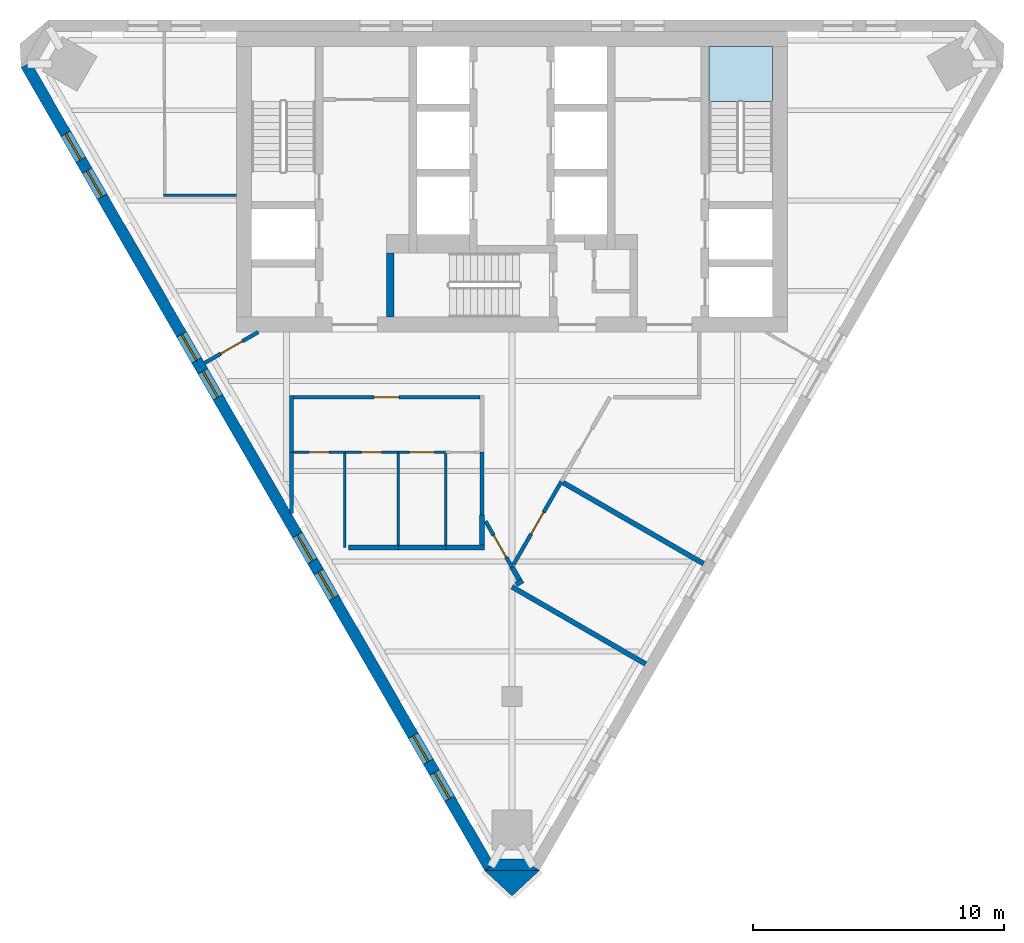
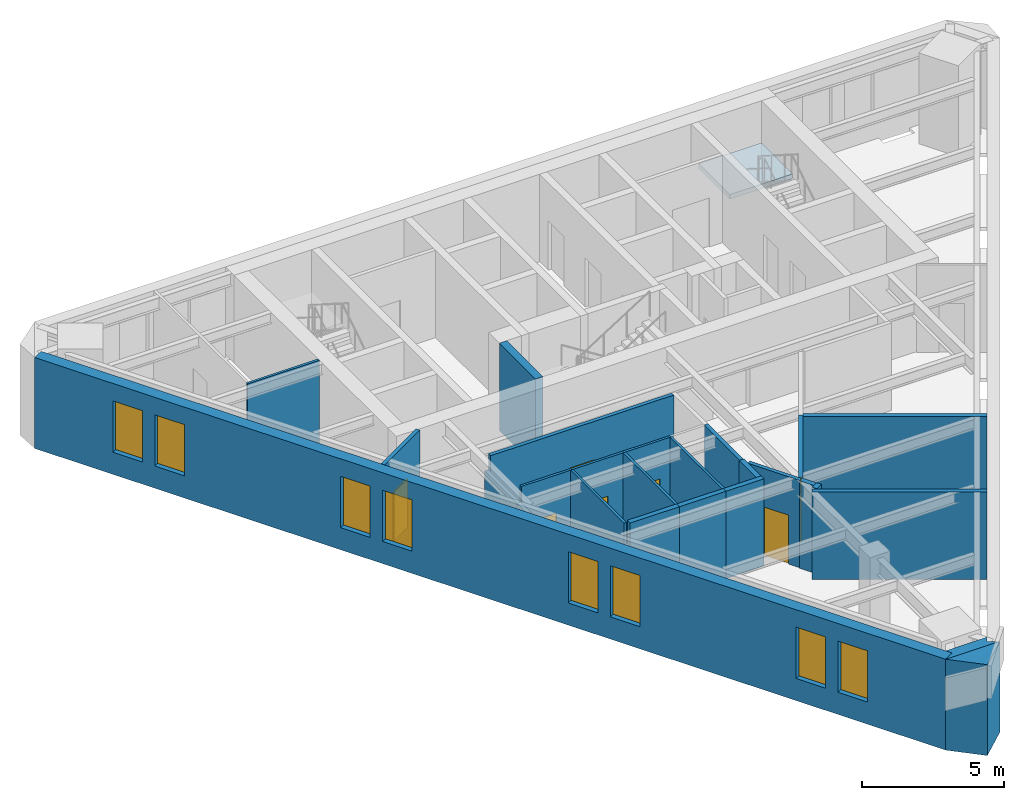
# One storey, part 2 of 6: 26 walls, 8 windows, 7 doors, 1 slab, 15 openings, 1 element without a shape of its own.
"""IFC4 building model written with IfcOpenShell, lengths in metres."""

import ifcopenshell
import ifcopenshell.guid

model = None  # the IFC model being written
_history = None  # IfcOwnerHistory: only IFC2X3 demands one
_inside = {}  # id of a spatial element -> (the spatial element, [elements in it])
_under = {}  # id of a project, library or spatial element -> (it, [spatial elements below it])
_declared = {}  # id of a project -> (the project, [libraries it declares])
_typed = {}  # id of a type object -> (the type object, [elements of that type])
_made_of = {}  # id of a material, layer set ... -> (it, [elements and type objects made of it])


def new_model(schema):
    """Start an empty IFC model of exactly this schema.

    Asked for "IFC4X3", IfcOpenShell would pick the latest addendum, in which some entities
    have other attributes; the version numbers below select the first issue.
    IFC2X3 requires an IfcOwnerHistory on every rooted entity: one is made here for all.
    """
    global model, _history
    if schema == "IFC4X3":
        model = ifcopenshell.file(schema_version=(4, 3, 0, 0))
    else:
        model = ifcopenshell.file(schema=schema)
    _inside.clear()
    _under.clear()
    _declared.clear()
    _typed.clear()
    _made_of.clear()
    _history = None
    if model.schema == "IFC2X3":
        org = make("IfcOrganization", Name="unknown")
        user = make(
            "IfcPersonAndOrganization",
            ThePerson=make("IfcPerson", FamilyName="unknown"),
            TheOrganization=org,
        )
        app = make(
            "IfcApplication",
            ApplicationDeveloper=org,
            Version="unknown",
            ApplicationFullName="unknown",
            ApplicationIdentifier="unknown",
        )
        _history = make(
            "IfcOwnerHistory",
            OwningUser=user,
            OwningApplication=app,
            ChangeAction="ADDED",
            CreationDate=0,
        )
    return model


def make(cls, **values):
    """One entity of the class cls with the attributes given. An attribute that is None is left unset."""
    return model.create_entity(
        cls, **{name: value for name, value in values.items() if value is not None}
    )


def rooted(cls, **values):
    """An entity with a GlobalId (a new one), such as an element, a storey or a relation."""
    return make(cls, GlobalId=ifcopenshell.guid.new(), OwnerHistory=_history, **values)


def si_unit(unit_type, name, prefix=None):
    """IfcSIUnit, for example si_unit("LENGTHUNIT", "METRE", prefix="MILLI")."""
    return make("IfcSIUnit", UnitType=unit_type, Prefix=prefix, Name=name)


def assignment(units):
    """IfcUnitAssignment: the units of a project."""
    return None if units is None else make("IfcUnitAssignment", Units=units)


def point(xyz):
    """IfcCartesianPoint."""
    return None if xyz is None else make("IfcCartesianPoint", Coordinates=xyz)


def direction(xyz):
    """IfcDirection."""
    return None if xyz is None else make("IfcDirection", DirectionRatios=xyz)


def frame(location, z_axis=None, x_axis=None):
    """IfcAxis2Placement3D, a coordinate frame: its origin and axes. An axis left out is left unset."""
    return make(
        "IfcAxis2Placement3D",
        Location=point(location),
        Axis=direction(z_axis),
        RefDirection=direction(x_axis),
    )


def frame_2d(location, x_axis=None):
    """IfcAxis2Placement2D, a coordinate frame in the plane: its origin and x axis."""
    return make(
        "IfcAxis2Placement2D", Location=point(location), RefDirection=direction(x_axis)
    )


def origin():
    """The frame at (0, 0, 0) with its axes left unset."""
    return frame((0.0, 0.0, 0.0))


def place(relative_to, where):
    """IfcLocalPlacement: puts the frame where relative to a parent placement (None: the world)."""
    return make(
        "IfcLocalPlacement", PlacementRelTo=relative_to, RelativePlacement=where
    )


def context(
    kind, dimensions, precision=None, world=None, true_north=None, identifier=None
):
    """IfcGeometricRepresentationContext, for example the 3D "Model" context."""
    return make(
        "IfcGeometricRepresentationContext",
        ContextIdentifier=identifier,
        ContextType=kind,
        CoordinateSpaceDimension=dimensions,
        Precision=precision,
        WorldCoordinateSystem=world,
        TrueNorth=true_north,
    )


def subcontext(parent, identifier, kind, view, scale=None):
    """IfcGeometricRepresentationSubContext, for example "Body" below "Model"."""
    return make(
        "IfcGeometricRepresentationSubContext",
        ContextIdentifier=identifier,
        ContextType=kind,
        ParentContext=parent,
        TargetScale=scale,
        TargetView=view,
    )


def project(units=None, contexts=None):
    """IfcProject with its units and contexts."""
    return rooted(
        "IfcProject",
        Name="project",
        RepresentationContexts=contexts,
        UnitsInContext=assignment(units),
    )


def spatial(cls, under=None, at=None, **own):
    """A site, building, storey or space (cls), placed at a placement, below another one or the project."""
    s = rooted(cls, ObjectPlacement=at, **own)
    if under is not None:
        _under.setdefault(under.id(), (under, []))[1].append(s)
    return s


def polyline(points):
    """IfcPolyline through the points."""
    return make("IfcPolyline", Points=[point(p) for p in points])


def profile(cls, at=None, kind="AREA", **sizes):
    """A parametric profile (cls). Its sizes go by their IFC names, for example OverallWidth=200.0."""
    return make(cls, ProfileType=kind, Position=at, **sizes)


def rectangle(**sizes):
    """IfcRectangleProfileDef."""
    return profile("IfcRectangleProfileDef", **sizes)


def outline(outer, holes=None, kind="AREA"):
    """IfcArbitraryClosedProfileDef: a profile drawn as a closed curve; with holes, ...WithVoids."""
    if holes is None:
        return make("IfcArbitraryClosedProfileDef", ProfileType=kind, OuterCurve=outer)
    return make(
        "IfcArbitraryProfileDefWithVoids",
        ProfileType=kind,
        OuterCurve=outer,
        InnerCurves=holes,
    )


def extrude(swept, where, along, depth):
    """IfcExtrudedAreaSolid: the profile swept, set in the frame where, extruded along a direction by depth."""
    return make(
        "IfcExtrudedAreaSolid",
        SweptArea=swept,
        Position=where,
        ExtrudedDirection=direction(along),
        Depth=depth,
    )


def shape(context_of_items, identifier, shape_type, items):
    """IfcShapeRepresentation: the items that make up one representation, for example the "Body"."""
    return make(
        "IfcShapeRepresentation",
        ContextOfItems=context_of_items,
        RepresentationIdentifier=identifier,
        RepresentationType=shape_type,
        Items=items,
    )


def material(Name=None, Category=None):
    """IfcMaterial."""
    return make("IfcMaterial", Name=Name, Category=Category)


def layer(
    of_material, thickness, ventilated=None, Name=None, Category=None, Priority=None
):
    """IfcMaterialLayer: one layer of a wall or slab, of a material (None: an air gap)."""
    return make(
        "IfcMaterialLayer",
        Material=of_material,
        LayerThickness=thickness,
        IsVentilated=ventilated,
        Name=Name,
        Category=Category,
        Priority=Priority,
    )


def layer_set(layers, Name=None):
    """IfcMaterialLayerSet."""
    return make("IfcMaterialLayerSet", MaterialLayers=layers, LayerSetName=Name)


def made_of(thing, what):
    """Note that an element or type object is made of a material, layer set ...; save() writes the relation."""
    if what is not None:
        _made_of.setdefault(what.id(), (what, []))[1].append(thing)
    return thing


def type_object(cls, material=None, **own):
    """A type object (cls), such as IfcWallType, which elements share."""
    return made_of(rooted(cls, **own), material)


def element(
    cls,
    number,
    at=None,
    inside=None,
    cuts=None,
    type_object=None,
    material=None,
    context=None,
    identifier="Body",
    shape_type=None,
    held_by="IfcProductDefinitionShape",
    body=None,
    shapes=None,
    **own,
):
    """One element of the class cls, such as IfcWall. Its Tag is "e" and its number.

    at: its placement. inside: the storey or other place that contains it. cuts: it is an
    opening in that element (IfcRelVoidsElement). A single representation is given by context,
    identifier, shape_type and body (its items); several are given by shapes. held_by: the class
    of the entity that holds the representations. save() writes the other relations.
    """
    e = rooted(cls, Tag="e%d" % number, ObjectPlacement=at, **own)
    if body is not None:
        shapes = [shape(context, identifier, shape_type, body)]
    if shapes is not None:
        e.Representation = make(held_by, Representations=shapes)
    if inside is not None:
        _inside.setdefault(inside.id(), (inside, []))[1].append(e)
    if cuts is not None:
        rooted(
            "IfcRelVoidsElement", RelatingBuildingElement=cuts, RelatedOpeningElement=e
        )
    if type_object is not None:
        _typed.setdefault(type_object.id(), (type_object, []))[1].append(e)
    return made_of(e, material)


def fill(opening, filler):
    """IfcRelFillsElement: the door or window that sits in an opening."""
    return rooted(
        "IfcRelFillsElement",
        RelatingOpeningElement=opening,
        RelatedBuildingElement=filler,
    )


def aggregate(whole, parts):
    """IfcRelAggregates: a whole, such as a stair, and the parts it consists of."""
    return rooted("IfcRelAggregates", RelatingObject=whole, RelatedObjects=parts)


def save(model, path):
    """Write the relations noted so far, then the file.

    IfcRelAggregates (storeys below a building ...), IfcRelContainedInSpatialStructure (elements
    in a storey), IfcRelDefinesByType, IfcRelAssociatesMaterial and IfcRelDeclares: one each for
    every whole, place, type object, material and project.
    """
    for whole, parts in _under.values():
        aggregate(whole, parts)
    for where, things in _inside.values():
        rooted(
            "IfcRelContainedInSpatialStructure",
            RelatedElements=things,
            RelatingStructure=where,
        )
    for kind, things in _typed.values():
        rooted("IfcRelDefinesByType", RelatedObjects=things, RelatingType=kind)
    for what, things in _made_of.values():
        rooted("IfcRelAssociatesMaterial", RelatedObjects=things, RelatingMaterial=what)
    for by, libraries in _declared.values():
        rooted("IfcRelDeclares", RelatingContext=by, RelatedDefinitions=libraries)
    model.write(path)


model = new_model("IFC4")

# Units and contexts
model_context = context("Model", 3, precision=1e-05, world=origin(), true_north=direction((0.0, 1.0)))
body_context = subcontext(model_context, "Body", "Model", "MODEL_VIEW")
ifc_project = project(units=[si_unit("LENGTHUNIT", "METRE"), si_unit("AREAUNIT", "SQUARE_METRE"), si_unit("VOLUMEUNIT", "CUBIC_METRE"), si_unit("PLANEANGLEUNIT", "RADIAN"), si_unit("MASSUNIT", "GRAM", prefix="KILO")], contexts=[model_context])

# Site, building, storey
site_placement = place(None, origin())
site = spatial("IfcSite", under=ifc_project, at=site_placement, CompositionType="ELEMENT")
building_placement = place(site_placement, origin())
building = spatial("IfcBuilding", under=site, at=building_placement, Name="Aloe Facet Convention Tower", CompositionType="ELEMENT")
storey_placement = place(building_placement, frame((0.0, 0.0, 266.0)))
storey = spatial("IfcBuildingStorey", under=building, at=storey_placement, Name="L65", CompositionType="ELEMENT", Elevation=266.0)

# Stair, slab
ifc_material_1 = material(Name="Concrete C50/60", Category="concrete")
stair_type = type_object("IfcStairType", Name="CR-ST-22R", PredefinedType="HALF_TURN_STAIR", material=ifc_material_1)
stair_placement = place(storey_placement, origin())
stair = element("IfcStair", 1, at=stair_placement, inside=storey, type_object=stair_type, Name="L65 Protected exit stair ST2", PredefinedType="HALF_TURN_STAIR")
ifc_material_2 = material(Name="Concrete C50/60", Category="concrete")
ifc_layer_1 = layer(ifc_material_2, 0.199951171875)
ifc_layer_set_1 = layer_set([ifc_layer_1], Name="CR-SL-LANDING")
slab_type = type_object("IfcSlabType", Name="CR-SL-LANDING", PredefinedType="LANDING", material=ifc_layer_set_1)
slab_placement = place(storey_placement, frame((0.0, 0.0, 1.75)))
slab = element("IfcSlab", 2, at=slab_placement, type_object=slab_type, Name="ST2 landing 1", PredefinedType="LANDING", context=body_context, shape_type="SweptSolid", body=[
    extrude(outline(polyline([(90.39990234375, 131.75), (90.39990234375, 133.949951171875), (87.85009765625, 133.949951171875), (87.85009765625, 131.75), (90.39990234375, 131.75)])), origin(), (0.0, 0.0, 1.0), 0.199951171875),
])
aggregate(stair, [slab])

# Walls
ifc_material_3 = material(Name="Concrete C50/60", Category="concrete")
ifc_layer_2 = layer(ifc_material_3, 0.300048828125)
ifc_layer_set_2 = layer_set([ifc_layer_2], Name="CR-W-RC300-C5060")
wall_type_1 = type_object("IfcWallType", Name="CR-W-RC300-C5060", PredefinedType="SOLIDWALL", material=ifc_layer_set_2)
wall_1_placement = place(storey_placement, frame((75.14990234375, 125.699951171875, 0.0), z_axis=(0.0, 0.0, 1.0), x_axis=(0.0, -1.0, 0.0)))
element("IfcWall", 3, at=wall_1_placement, inside=storey, type_object=wall_type_1, Name="Core wall L65-009", PredefinedType="SOLIDWALL", context=body_context, shape_type="SweptSolid", body=[
    extrude(rectangle(XDim=2.550048828125, YDim=0.300048828125, at=frame_2d((1.27490234375, 0.0))), origin(), (0.0, 0.0, 1.0), 3.75),
])
ifc_material_4 = material(Name="Precast concrete C40/50", Category="concrete")
ifc_layer_3 = layer(ifc_material_4, 0.449951171875)
ifc_layer_set_3 = layer_set([ifc_layer_3], Name="EV-WALL-PIER")
wall_type_2 = type_object("IfcWallType", Name="EV-WALL-PIER", PredefinedType="SOLIDWALL", material=ifc_layer_set_3)
wall_2_placement = place(storey_placement, frame((0.0, 0.0, -0.14990234375)))
element("IfcWall", 4, at=wall_2_placement, inside=storey, type_object=wall_type_2, Name="EP-L65-B", PredefinedType="SOLIDWALL", context=body_context, shape_type="SweptSolid", body=[
    extrude(outline(polyline([(78.89990234375, 101.07568359375), (79.289794921875, 101.30078125), (79.159912109375, 101.52587890625), (80.840087890625, 101.52587890625), (80.710205078125, 101.30078125), (81.10009765625, 101.07568359375), (78.89990234375, 101.07568359375)])), origin(), (0.0, 0.0, 1.0), 3.89990234375),
])
ifc_material_5 = material(Name="Precast concrete C40/50", Category="concrete")
ifc_layer_4 = layer(ifc_material_5, 3.947998046875)
ifc_layer_set_4 = layer_set([ifc_layer_4], Name="EV-WALL-SPINE")
wall_type_3 = type_object("IfcWallType", Name="EV-WALL-SPINE", PredefinedType="SOLIDWALL", material=ifc_layer_set_4)
wall_3_placement = place(storey_placement, frame((0.0, 0.0, -0.14990234375)))
element("IfcWall", 5, at=wall_3_placement, inside=storey, type_object=wall_type_3, Name="SP-S-L65", PredefinedType="SOLIDWALL", context=body_context, shape_type="SweptSolid", body=[
    extrude(outline(polyline([(78.89990234375, 101.07568359375), (80.0, 100.0537109375), (81.10009765625, 101.07568359375), (78.89990234375, 101.07568359375)])), origin(), (0.0, 0.0, 1.0), 3.89990234375),
])

# Wall, openings, windows
ifc_material_6 = material(Name="Precast concrete C40/50", Category="concrete")
ifc_layer_5 = layer(ifc_material_6, 0.449951171875)
ifc_layer_set_5 = layer_set([ifc_layer_5], Name="EV-WALL-STONE")
wall_type_4 = type_object("IfcWallType", Name="EV-WALL-STONE", PredefinedType="SOLIDWALL", material=ifc_layer_set_5)
wall_4_placement = place(storey_placement, frame((60.608642578125, 133.207275390625, -0.14990234375), z_axis=(0.0, 0.0, 1.0), x_axis=(0.500002536638, -0.866023939251, 0.0)))
wall_4 = element("IfcWall", 6, at=wall_4_placement, inside=storey, type_object=wall_type_4, Name="EW-L65-W01", PredefinedType="SOLIDWALL", context=body_context, shape_type="SweptSolid", body=[
    extrude(outline(polyline([(36.972412109375, 0.0), (36.972412109375, 3.89990234375), (0.0, 3.89990234375), (0.0, 0.0), (36.972412109375, 0.0)])), frame((0.0, 0.22509765625, 0.0), z_axis=(0.0, -1.0, 0.0), x_axis=(1.0, 0.0, 0.0)), (0.0, 0.0, 1.0), 0.449951171875),
])
opening_1_placement = place(wall_4_placement, frame((3.171630859375, 0.0, 0.949951171875)))
opening_1 = element("IfcOpeningElement", 7, at=opening_1_placement, cuts=wall_4, Name="Opening W-L65-W01", PredefinedType="OPENING", context=body_context, shape_type="SweptSolid", body=[
    extrude(rectangle(XDim=1.199951171875, YDim=2.199951171875, at=frame_2d((0.60009765625, 1.10009765625))), frame((0.0, 0.23486328125, 0.0), z_axis=(0.0, -1.0, 0.0), x_axis=(1.0, 0.0, 0.0)), (0.0, 0.0, 1.0), 0.469970703125),
])
opening_2_placement = place(wall_4_placement, frame((4.87158203125, 0.0, 0.949951171875)))
opening_2 = element("IfcOpeningElement", 8, at=opening_2_placement, cuts=wall_4, Name="Opening W-L65-W02", PredefinedType="OPENING", context=body_context, shape_type="SweptSolid", body=[
    extrude(rectangle(XDim=1.199951171875, YDim=2.199951171875, at=frame_2d((0.60009765625, 1.10009765625))), frame((0.0, 0.23486328125, 0.0), z_axis=(0.0, -1.0, 0.0), x_axis=(1.0, 0.0, 0.0)), (0.0, 0.0, 1.0), 0.469970703125),
])
opening_3_placement = place(wall_4_placement, frame((12.41455078125, 0.0, 0.949951171875)))
opening_3 = element("IfcOpeningElement", 9, at=opening_3_placement, cuts=wall_4, Name="Opening W-L65-W03", PredefinedType="OPENING", context=body_context, shape_type="SweptSolid", body=[
    extrude(rectangle(XDim=1.199951171875, YDim=2.199951171875, at=frame_2d((0.60009765625, 1.10009765625))), frame((0.0, 0.23486328125, 0.0), z_axis=(0.0, -1.0, 0.0), x_axis=(1.0, 0.0, 0.0)), (0.0, 0.0, 1.0), 0.469970703125),
])
opening_4_placement = place(wall_4_placement, frame((14.114501953125, 0.0, 0.949951171875)))
opening_4 = element("IfcOpeningElement", 10, at=opening_4_placement, cuts=wall_4, Name="Opening W-L65-W04", PredefinedType="OPENING", context=body_context, shape_type="SweptSolid", body=[
    extrude(rectangle(XDim=1.199951171875, YDim=2.199951171875, at=frame_2d((0.60009765625, 1.10009765625))), frame((0.0, 0.23486328125, 0.0), z_axis=(0.0, -1.0, 0.0), x_axis=(1.0, 0.0, 0.0)), (0.0, 0.0, 1.0), 0.469970703125),
])
opening_5_placement = place(wall_4_placement, frame((21.65771484375, 0.0, 0.949951171875)))
opening_5 = element("IfcOpeningElement", 11, at=opening_5_placement, cuts=wall_4, Name="Opening W-L65-W05", PredefinedType="OPENING", context=body_context, shape_type="SweptSolid", body=[
    extrude(rectangle(XDim=1.199951171875, YDim=2.199951171875, at=frame_2d((0.60009765625, 1.10009765625))), frame((0.0, 0.23486328125, 0.0), z_axis=(0.0, -1.0, 0.0), x_axis=(1.0, 0.0, 0.0)), (0.0, 0.0, 1.0), 0.469970703125),
])
opening_6_placement = place(wall_4_placement, frame((23.357666015625, 0.0, 0.949951171875)))
opening_6 = element("IfcOpeningElement", 12, at=opening_6_placement, cuts=wall_4, Name="Opening W-L65-W06", PredefinedType="OPENING", context=body_context, shape_type="SweptSolid", body=[
    extrude(rectangle(XDim=1.199951171875, YDim=2.199951171875, at=frame_2d((0.60009765625, 1.10009765625))), frame((0.0, 0.23486328125, 0.0), z_axis=(0.0, -1.0, 0.0), x_axis=(1.0, 0.0, 0.0)), (0.0, 0.0, 1.0), 0.469970703125),
])
opening_7_placement = place(wall_4_placement, frame((30.90087890625, 0.0, 0.949951171875)))
opening_7 = element("IfcOpeningElement", 13, at=opening_7_placement, cuts=wall_4, Name="Opening W-L65-W07", PredefinedType="OPENING", context=body_context, shape_type="SweptSolid", body=[
    extrude(rectangle(XDim=1.199951171875, YDim=2.199951171875, at=frame_2d((0.60009765625, 1.10009765625))), frame((0.0, 0.23486328125, 0.0), z_axis=(0.0, -1.0, 0.0), x_axis=(1.0, 0.0, 0.0)), (0.0, 0.0, 1.0), 0.469970703125),
])
opening_8_placement = place(wall_4_placement, frame((32.600830078125, 0.0, 0.949951171875)))
opening_8 = element("IfcOpeningElement", 14, at=opening_8_placement, cuts=wall_4, Name="Opening W-L65-W08", PredefinedType="OPENING", context=body_context, shape_type="SweptSolid", body=[
    extrude(rectangle(XDim=1.199951171875, YDim=2.199951171875, at=frame_2d((0.60009765625, 1.10009765625))), frame((0.0, 0.23486328125, 0.0), z_axis=(0.0, -1.0, 0.0), x_axis=(1.0, 0.0, 0.0)), (0.0, 0.0, 1.0), 0.469970703125),
])
ifc_material_7 = material(Name="Aluminium frame, clear double glazing", Category="aluminium")
window_type = type_object("IfcWindowType", Name="EV-WIN-O12", PartitioningType="SINGLE_PANEL", PredefinedType="WINDOW", material=ifc_material_7)
window_1_placement = place(opening_1_placement, origin())
window_1 = element("IfcWindow", 15, at=window_1_placement, inside=storey, type_object=window_type, Name="W-L65-W01", OverallHeight=2.199951171875, OverallWidth=1.199951171875, PartitioningType="SINGLE_PANEL", PredefinedType="WINDOW", context=body_context, shape_type="SweptSolid", body=[
    extrude(rectangle(XDim=1.199951171875, YDim=2.199951171875, at=frame_2d((0.60009765625, 1.10009765625))), frame((0.0, 0.030029296875, 0.0), z_axis=(0.0, -1.0, 0.0), x_axis=(1.0, 0.0, 0.0)), (0.0, 0.0, 1.0), 0.06005859375),
])
fill(opening_1, window_1)
window_2_placement = place(opening_2_placement, origin())
window_2 = element("IfcWindow", 16, at=window_2_placement, inside=storey, type_object=window_type, Name="W-L65-W02", OverallHeight=2.199951171875, OverallWidth=1.199951171875, PartitioningType="SINGLE_PANEL", PredefinedType="WINDOW", context=body_context, shape_type="SweptSolid", body=[
    extrude(rectangle(XDim=1.199951171875, YDim=2.199951171875, at=frame_2d((0.60009765625, 1.10009765625))), frame((0.0, 0.030029296875, 0.0), z_axis=(0.0, -1.0, 0.0), x_axis=(1.0, 0.0, 0.0)), (0.0, 0.0, 1.0), 0.06005859375),
])
fill(opening_2, window_2)
window_3_placement = place(opening_3_placement, origin())
window_3 = element("IfcWindow", 17, at=window_3_placement, inside=storey, type_object=window_type, Name="W-L65-W03", OverallHeight=2.199951171875, OverallWidth=1.199951171875, PartitioningType="SINGLE_PANEL", PredefinedType="WINDOW", context=body_context, shape_type="SweptSolid", body=[
    extrude(rectangle(XDim=1.199951171875, YDim=2.199951171875, at=frame_2d((0.60009765625, 1.10009765625))), frame((0.0, 0.030029296875, 0.0), z_axis=(0.0, -1.0, 0.0), x_axis=(1.0, 0.0, 0.0)), (0.0, 0.0, 1.0), 0.06005859375),
])
fill(opening_3, window_3)
window_4_placement = place(opening_4_placement, origin())
window_4 = element("IfcWindow", 18, at=window_4_placement, inside=storey, type_object=window_type, Name="W-L65-W04", OverallHeight=2.199951171875, OverallWidth=1.199951171875, PartitioningType="SINGLE_PANEL", PredefinedType="WINDOW", context=body_context, shape_type="SweptSolid", body=[
    extrude(rectangle(XDim=1.199951171875, YDim=2.199951171875, at=frame_2d((0.60009765625, 1.10009765625))), frame((0.0, 0.030029296875, 0.0), z_axis=(0.0, -1.0, 0.0), x_axis=(1.0, 0.0, 0.0)), (0.0, 0.0, 1.0), 0.06005859375),
])
fill(opening_4, window_4)
window_5_placement = place(opening_5_placement, origin())
window_5 = element("IfcWindow", 19, at=window_5_placement, inside=storey, type_object=window_type, Name="W-L65-W05", OverallHeight=2.199951171875, OverallWidth=1.199951171875, PartitioningType="SINGLE_PANEL", PredefinedType="WINDOW", context=body_context, shape_type="SweptSolid", body=[
    extrude(rectangle(XDim=1.199951171875, YDim=2.199951171875, at=frame_2d((0.60009765625, 1.10009765625))), frame((0.0, 0.030029296875, 0.0), z_axis=(0.0, -1.0, 0.0), x_axis=(1.0, 0.0, 0.0)), (0.0, 0.0, 1.0), 0.06005859375),
])
fill(opening_5, window_5)
window_6_placement = place(opening_6_placement, origin())
window_6 = element("IfcWindow", 20, at=window_6_placement, inside=storey, type_object=window_type, Name="W-L65-W06", OverallHeight=2.199951171875, OverallWidth=1.199951171875, PartitioningType="SINGLE_PANEL", PredefinedType="WINDOW", context=body_context, shape_type="SweptSolid", body=[
    extrude(rectangle(XDim=1.199951171875, YDim=2.199951171875, at=frame_2d((0.60009765625, 1.10009765625))), frame((0.0, 0.030029296875, 0.0), z_axis=(0.0, -1.0, 0.0), x_axis=(1.0, 0.0, 0.0)), (0.0, 0.0, 1.0), 0.06005859375),
])
fill(opening_6, window_6)
window_7_placement = place(opening_7_placement, origin())
window_7 = element("IfcWindow", 21, at=window_7_placement, inside=storey, type_object=window_type, Name="W-L65-W07", OverallHeight=2.199951171875, OverallWidth=1.199951171875, PartitioningType="SINGLE_PANEL", PredefinedType="WINDOW", context=body_context, shape_type="SweptSolid", body=[
    extrude(rectangle(XDim=1.199951171875, YDim=2.199951171875, at=frame_2d((0.60009765625, 1.10009765625))), frame((0.0, 0.030029296875, 0.0), z_axis=(0.0, -1.0, 0.0), x_axis=(1.0, 0.0, 0.0)), (0.0, 0.0, 1.0), 0.06005859375),
])
fill(opening_7, window_7)
window_8_placement = place(opening_8_placement, origin())
window_8 = element("IfcWindow", 22, at=window_8_placement, inside=storey, type_object=window_type, Name="W-L65-W08", OverallHeight=2.199951171875, OverallWidth=1.199951171875, PartitioningType="SINGLE_PANEL", PredefinedType="WINDOW", context=body_context, shape_type="SweptSolid", body=[
    extrude(rectangle(XDim=1.199951171875, YDim=2.199951171875, at=frame_2d((0.60009765625, 1.10009765625))), frame((0.0, 0.030029296875, 0.0), z_axis=(0.0, -1.0, 0.0), x_axis=(1.0, 0.0, 0.0)), (0.0, 0.0, 1.0), 0.06005859375),
])
fill(opening_8, window_8)

# Wall, opening, door
ifc_material_8 = material(Name="Gypsum board partition on steel studs", Category="steel")
ifc_layer_6 = layer(ifc_material_8, 0.14990234375)
ifc_layer_set_6 = layer_set([ifc_layer_6], Name="IN-W-CORR")
wall_type_5 = type_object("IfcWallType", Name="IN-W-CORR", PredefinedType="PARTITIONING", material=ifc_layer_set_6)
wall_5_placement = place(storey_placement, frame((78.945068359375, 114.997802734375, 0.0), z_axis=(0.0, 0.0, 1.0), x_axis=(0.499959494327, -0.866048788483, 0.0)))
wall_5 = element("IfcWall", 23, at=wall_5_placement, inside=storey, type_object=wall_type_5, Name="Partition L65-W004", PredefinedType="PARTITIONING", context=body_context, shape_type="SweptSolid", body=[
    extrude(rectangle(XDim=2.110107421875, YDim=0.14990234375, at=frame_2d((1.05517578125, 0.0))), origin(), (0.0, 0.0, 1.0), 3.75),
])
opening_9_placement = place(wall_5_placement, frame((0.656982421875, 0.0, 0.0)))
opening_9 = element("IfcOpeningElement", 24, at=opening_9_placement, cuts=wall_5, Name="Opening L65-009", PredefinedType="OPENING", context=body_context, shape_type="SweptSolid", body=[
    extrude(rectangle(XDim=1.0, YDim=2.10009765625, at=frame_2d((0.5, 1.050048828125))), frame((0.0, 0.0849609375, 0.0), z_axis=(0.0, -1.0, 0.0), x_axis=(1.0, 0.0, 0.0)), (0.0, 0.0, 1.0), 0.169921875),
])
ifc_material_9 = material(Name="Timber door FD30S with vision panel", Category="wood")
door_type_1 = type_object("IfcDoorType", Name="IN-OFF-D-ENTRY", OperationType="SINGLE_SWING_LEFT", PredefinedType="DOOR", material=ifc_material_9)
door_1_placement = place(opening_9_placement, origin())
door_1 = element("IfcDoor", 25, at=door_1_placement, inside=storey, type_object=door_type_1, Name="Door L65-009", OperationType="SINGLE_SWING_LEFT", OverallHeight=2.10009765625, OverallWidth=1.0, PredefinedType="DOOR", context=body_context, shape_type="SweptSolid", body=[
    extrude(rectangle(XDim=1.0, YDim=2.10009765625, at=frame_2d((0.5, 1.050048828125))), frame((0.0, 0.02490234375, 0.0), z_axis=(0.0, -1.0, 0.0), x_axis=(1.0, 0.0, 0.0)), (0.0, 0.0, 1.0), 0.050048828125),
])
fill(opening_9, door_1)

# Wall
wall_6_placement = place(storey_placement, frame((78.800048828125, 115.2490234375, 0.0), z_axis=(0.0, 0.0, 1.0), x_axis=(0.0, 1.0, 0.0)))
element("IfcWall", 26, at=wall_6_placement, inside=storey, type_object=wall_type_5, Name="Partition L65-W010", PredefinedType="PARTITIONING", context=body_context, shape_type="SweptSolid", body=[
    extrude(rectangle(XDim=2.510986328125, YDim=0.14990234375, at=frame_2d((1.25537109375, 0.0))), origin(), (0.0, 0.0, 1.0), 3.75),
])

# Wall, opening, door
wall_7_placement = place(storey_placement, frame((80.06005859375, 113.2744140625, 0.0), z_axis=(0.0, 0.0, 1.0), x_axis=(0.499987977232, 0.866032345022, 0.0)))
wall_7 = element("IfcWall", 27, at=wall_7_placement, inside=storey, type_object=wall_type_5, Name="Partition L65-W011", PredefinedType="PARTITIONING", context=body_context, shape_type="SweptSolid", body=[
    extrude(rectangle(XDim=3.8203125, YDim=0.14990234375, at=frame_2d((1.91015625, 0.0))), origin(), (0.0, 0.0, 1.0), 3.75),
])
opening_10_placement = place(wall_7_placement, frame((1.41015625, 0.0, 0.0)))
opening_10 = element("IfcOpeningElement", 28, at=opening_10_placement, cuts=wall_7, Name="Opening L65-010", PredefinedType="OPENING", context=body_context, shape_type="SweptSolid", body=[
    extrude(rectangle(XDim=1.0, YDim=2.10009765625, at=frame_2d((0.5, 1.050048828125))), frame((0.0, 0.0849609375, 0.0), z_axis=(0.0, -1.0, 0.0), x_axis=(1.0, 0.0, 0.0)), (0.0, 0.0, 1.0), 0.169921875),
])
door_2_placement = place(opening_10_placement, origin())
door_2 = element("IfcDoor", 29, at=door_2_placement, inside=storey, type_object=door_type_1, Name="Door L65-010", OperationType="SINGLE_SWING_LEFT", OverallHeight=2.10009765625, OverallWidth=1.0, PredefinedType="DOOR", context=body_context, shape_type="SweptSolid", body=[
    extrude(rectangle(XDim=1.0, YDim=2.10009765625, at=frame_2d((0.5, 1.050048828125))), frame((0.0, 0.02490234375, 0.0), z_axis=(0.0, -1.0, 0.0), x_axis=(1.0, 0.0, 0.0)), (0.0, 0.0, 1.0), 0.050048828125),
])
fill(opening_10, door_2)

# Walls
wall_8_placement = place(storey_placement, frame((71.199951171875, 115.312744140625, 0.0), z_axis=(0.0, 0.0, 1.0), x_axis=(0.0, 1.0, 0.0)))
element("IfcWall", 30, at=wall_8_placement, inside=storey, type_object=wall_type_5, Name="Partition L65-W020", PredefinedType="PARTITIONING", context=body_context, shape_type="SweptSolid", body=[
    extrude(rectangle(XDim=2.437255859375, YDim=0.14990234375, at=frame_2d((1.21875, 0.0))), origin(), (0.0, 0.0, 1.0), 3.06201171875),
])
wall_9_placement = place(storey_placement, frame((71.199951171875, 117.75, 0.0), z_axis=(0.0, 0.0, 1.0), x_axis=(0.0, 1.0, 0.0)))
element("IfcWall", 31, at=wall_9_placement, inside=storey, type_object=wall_type_5, Name="Partition L65-W021", PredefinedType="PARTITIONING", context=body_context, shape_type="SweptSolid", body=[
    extrude(rectangle(XDim=2.27294921875, YDim=0.14990234375, at=frame_2d((1.136474609375, 0.0))), origin(), (0.0, 0.0, 1.0), 3.06201171875),
])

# Wall, opening, door
wall_10_placement = place(storey_placement, frame((71.27490234375, 119.947998046875, 0.0), z_axis=(0.0, 0.0, 1.0), x_axis=(1.0, 0.0, 0.0)))
wall_10 = element("IfcWall", 32, at=wall_10_placement, inside=storey, type_object=wall_type_5, Name="Partition L65-W023", PredefinedType="PARTITIONING", context=body_context, shape_type="SweptSolid", body=[
    extrude(rectangle(XDim=7.4501953125, YDim=0.14990234375, at=frame_2d((3.72509765625, 0.0))), origin(), (0.0, 0.0, 1.0), 3.75),
])
opening_11_placement = place(wall_10_placement, frame((3.22509765625, 0.0, 0.0)))
opening_11 = element("IfcOpeningElement", 33, at=opening_11_placement, cuts=wall_10, Name="Opening L65-001", PredefinedType="OPENING", context=body_context, shape_type="SweptSolid", body=[
    extrude(rectangle(XDim=1.0, YDim=2.10009765625, at=frame_2d((0.5, 1.050048828125))), frame((0.0, 0.0849609375, 0.0), z_axis=(0.0, -1.0, 0.0), x_axis=(1.0, 0.0, 0.0)), (0.0, 0.0, 1.0), 0.169921875),
])
door_3_placement = place(opening_11_placement, origin())
door_3 = element("IfcDoor", 34, at=door_3_placement, inside=storey, type_object=door_type_1, Name="Door L65-001", OperationType="SINGLE_SWING_LEFT", OverallHeight=2.10009765625, OverallWidth=1.0, PredefinedType="DOOR", context=body_context, shape_type="SweptSolid", body=[
    extrude(rectangle(XDim=1.0, YDim=2.10009765625, at=frame_2d((0.5, 1.050048828125))), frame((0.0, 0.02490234375, 0.0), z_axis=(0.0, -1.0, 0.0), x_axis=(1.0, 0.0, 0.0)), (0.0, 0.0, 1.0), 0.050048828125),
])
fill(opening_11, door_3)

wall_11_placement = place(storey_placement, frame((67.74462890625, 121.317626953125, 0.0), z_axis=(0.0, 0.0, 1.0), x_axis=(0.865990916707, 0.500059728613, 0.0)))
wall_11 = element("IfcWall", 35, at=wall_11_placement, inside=storey, type_object=wall_type_5, Name="Partition L65-W025", PredefinedType="PARTITIONING", context=body_context, shape_type="SweptSolid", body=[
    extrude(rectangle(XDim=2.464599609375, YDim=0.14990234375, at=frame_2d((1.232421875, 0.0))), origin(), (0.0, 0.0, 1.0), 3.75),
])
opening_12_placement = place(wall_11_placement, frame((0.732177734375, 0.0, 0.0)))
opening_12 = element("IfcOpeningElement", 36, at=opening_12_placement, cuts=wall_11, Name="Opening L65-008", PredefinedType="OPENING", context=body_context, shape_type="SweptSolid", body=[
    extrude(rectangle(XDim=1.0, YDim=2.10009765625, at=frame_2d((0.5, 1.050048828125))), frame((0.0, 0.0849609375, 0.0), z_axis=(0.0, -1.0, 0.0), x_axis=(1.0, 0.0, 0.0)), (0.0, 0.0, 1.0), 0.169921875),
])
door_4_placement = place(opening_12_placement, origin())
door_4 = element("IfcDoor", 37, at=door_4_placement, inside=storey, type_object=door_type_1, Name="Door L65-008", OperationType="SINGLE_SWING_LEFT", OverallHeight=2.10009765625, OverallWidth=1.0, PredefinedType="DOOR", context=body_context, shape_type="SweptSolid", body=[
    extrude(rectangle(XDim=1.0, YDim=2.10009765625, at=frame_2d((0.5, 1.050048828125))), frame((0.0, 0.02490234375, 0.0), z_axis=(0.0, -1.0, 0.0), x_axis=(1.0, 0.0, 0.0)), (0.0, 0.0, 1.0), 0.050048828125),
])
fill(opening_12, door_4)

# Wall
ifc_material_10 = material(Name="Gypsum board partition on steel studs", Category="steel")
ifc_layer_7 = layer(ifc_material_10, 0.10009765625)
ifc_layer_set_7 = layer_set([ifc_layer_7], Name="IN-W-PART")
wall_type_6 = type_object("IfcWallType", Name="IN-W-PART", PredefinedType="PARTITIONING", material=ifc_layer_set_7)
wall_12_placement = place(storey_placement, frame((73.327880859375, 113.949951171875, 0.0), z_axis=(0.0, 0.0, 1.0), x_axis=(0.0, 1.0, 0.0)))
element("IfcWall", 38, at=wall_12_placement, inside=storey, type_object=wall_type_6, Name="Partition L65-W013", PredefinedType="PARTITIONING", context=body_context, shape_type="SweptSolid", body=[
    extrude(rectangle(XDim=3.75, YDim=0.10009765625, at=frame_2d((1.875, 0.0))), origin(), (0.0, 0.0, 1.0), 3.75),
])

# Wall, opening, door
wall_13_placement = place(storey_placement, frame((71.27490234375, 117.75, 0.0), z_axis=(0.0, 0.0, 1.0), x_axis=(1.0, 0.0, 0.0)))
wall_13 = element("IfcWall", 39, at=wall_13_placement, inside=storey, type_object=wall_type_6, Name="Partition L65-W014", PredefinedType="PARTITIONING", context=body_context, shape_type="SweptSolid", body=[
    extrude(rectangle(XDim=2.052978515625, YDim=0.10009765625, at=frame_2d((1.0263671875, 0.0))), origin(), (0.0, 0.0, 1.0), 3.75),
])
opening_13_placement = place(wall_13_placement, frame((0.62646484375, 0.0, 0.0)))
opening_13 = element("IfcOpeningElement", 40, at=opening_13_placement, cuts=wall_13, Name="Opening L65-002", PredefinedType="OPENING", context=body_context, shape_type="SweptSolid", body=[
    extrude(rectangle(XDim=0.800048828125, YDim=2.10009765625, at=frame_2d((0.39990234375, 1.050048828125))), frame((0.0, 0.06005859375, 0.0), z_axis=(0.0, -1.0, 0.0), x_axis=(1.0, 0.0, 0.0)), (0.0, 0.0, 1.0), 0.1201171875),
])
ifc_material_11 = material(Name="Timber door", Category="wood")
door_type_2 = type_object("IfcDoorType", Name="IN-OFF-D-WC", OperationType="SINGLE_SWING_LEFT", PredefinedType="DOOR", material=ifc_material_11)
door_5_placement = place(opening_13_placement, origin())
door_5 = element("IfcDoor", 41, at=door_5_placement, inside=storey, type_object=door_type_2, Name="Door L65-002", OperationType="SINGLE_SWING_LEFT", OverallHeight=2.10009765625, OverallWidth=0.800048828125, PredefinedType="DOOR", context=body_context, shape_type="SweptSolid", body=[
    extrude(rectangle(XDim=0.800048828125, YDim=2.10009765625, at=frame_2d((0.39990234375, 1.050048828125))), frame((0.0, 0.02490234375, 0.0), z_axis=(0.0, -1.0, 0.0), x_axis=(1.0, 0.0, 0.0)), (0.0, 0.0, 1.0), 0.050048828125),
])
fill(opening_13, door_5)

# Wall
wall_14_placement = place(storey_placement, frame((75.4658203125, 114.050048828125, 0.0), z_axis=(0.0, 0.0, 1.0), x_axis=(-0.002675575707, 0.999996420641, 0.0)))
element("IfcWall", 42, at=wall_14_placement, inside=storey, type_object=wall_type_6, Name="Partition L65-W015", PredefinedType="PARTITIONING", context=body_context, shape_type="SweptSolid", body=[
    extrude(rectangle(XDim=3.64990234375, YDim=0.10009765625, at=frame_2d((1.824951171875, 0.0))), origin(), (0.0, 0.0, 1.0), 3.75),
])

# Wall, opening, door
wall_15_placement = place(storey_placement, frame((73.327880859375, 117.75, 0.0), z_axis=(0.0, 0.0, 1.0), x_axis=(1.0, 0.0, 0.0)))
wall_15 = element("IfcWall", 43, at=wall_15_placement, inside=storey, type_object=wall_type_6, Name="Partition L65-W016", PredefinedType="PARTITIONING", context=body_context, shape_type="SweptSolid", body=[
    extrude(rectangle(XDim=2.128173828125, YDim=0.10009765625, at=frame_2d((1.06396484375, 0.0))), origin(), (0.0, 0.0, 1.0), 3.75),
])
opening_14_placement = place(wall_15_placement, frame((0.6640625, 0.0, 0.0)))
opening_14 = element("IfcOpeningElement", 44, at=opening_14_placement, cuts=wall_15, Name="Opening L65-003", PredefinedType="OPENING", context=body_context, shape_type="SweptSolid", body=[
    extrude(rectangle(XDim=0.800048828125, YDim=2.10009765625, at=frame_2d((0.39990234375, 1.050048828125))), frame((0.0, 0.06005859375, 0.0), z_axis=(0.0, -1.0, 0.0), x_axis=(1.0, 0.0, 0.0)), (0.0, 0.0, 1.0), 0.1201171875),
])
door_6_placement = place(opening_14_placement, origin())
door_6 = element("IfcDoor", 45, at=door_6_placement, inside=storey, type_object=door_type_2, Name="Door L65-003", OperationType="SINGLE_SWING_LEFT", OverallHeight=2.10009765625, OverallWidth=0.800048828125, PredefinedType="DOOR", context=body_context, shape_type="SweptSolid", body=[
    extrude(rectangle(XDim=0.800048828125, YDim=2.10009765625, at=frame_2d((0.39990234375, 1.050048828125))), frame((0.0, 0.02490234375, 0.0), z_axis=(0.0, -1.0, 0.0), x_axis=(1.0, 0.0, 0.0)), (0.0, 0.0, 1.0), 0.050048828125),
])
fill(opening_14, door_6)

# Wall
wall_16_placement = place(storey_placement, frame((77.36572265625, 114.050048828125, 0.0), z_axis=(0.0, 0.0, 1.0), x_axis=(-0.002608686776, 0.999996597371, 0.0)))
element("IfcWall", 46, at=wall_16_placement, inside=storey, type_object=wall_type_6, Name="Partition L65-W017", PredefinedType="PARTITIONING", context=body_context, shape_type="SweptSolid", body=[
    extrude(rectangle(XDim=3.64990234375, YDim=0.10009765625, at=frame_2d((1.824951171875, 0.0))), origin(), (0.0, 0.0, 1.0), 3.75),
])

# Wall, opening, door
wall_17_placement = place(storey_placement, frame((75.4560546875, 117.75, 0.0), z_axis=(0.0, 0.0, 1.0), x_axis=(1.0, 0.0, 0.0)))
wall_17 = element("IfcWall", 47, at=wall_17_placement, inside=storey, type_object=wall_type_6, Name="Partition L65-W018", PredefinedType="PARTITIONING", context=body_context, shape_type="SweptSolid", body=[
    extrude(rectangle(XDim=1.89990234375, YDim=0.10009765625, at=frame_2d((0.949951171875, 0.0))), origin(), (0.0, 0.0, 1.0), 3.75),
])
opening_15_placement = place(wall_17_placement, frame((0.449951171875, 0.0, 0.0)))
opening_15 = element("IfcOpeningElement", 48, at=opening_15_placement, cuts=wall_17, Name="Opening L65-004", PredefinedType="OPENING", context=body_context, shape_type="SweptSolid", body=[
    extrude(rectangle(XDim=1.0, YDim=2.10009765625, at=frame_2d((0.5, 1.050048828125))), frame((0.0, 0.06005859375, 0.0), z_axis=(0.0, -1.0, 0.0), x_axis=(1.0, 0.0, 0.0)), (0.0, 0.0, 1.0), 0.1201171875),
])
ifc_material_12 = material(Name="Timber door", Category="wood")
door_type_3 = type_object("IfcDoorType", Name="IN-OFF-D-WIDE", OperationType="SINGLE_SWING_LEFT", PredefinedType="DOOR", material=ifc_material_12)
door_7_placement = place(opening_15_placement, origin())
door_7 = element("IfcDoor", 49, at=door_7_placement, inside=storey, type_object=door_type_3, Name="Door L65-004", OperationType="SINGLE_SWING_LEFT", OverallHeight=2.10009765625, OverallWidth=1.0, PredefinedType="DOOR", context=body_context, shape_type="SweptSolid", body=[
    extrude(rectangle(XDim=1.0, YDim=2.10009765625, at=frame_2d((0.5, 1.050048828125))), frame((0.0, 0.02490234375, 0.0), z_axis=(0.0, -1.0, 0.0), x_axis=(1.0, 0.0, 0.0)), (0.0, 0.0, 1.0), 0.050048828125),
])
fill(opening_15, door_7)

# Walls
wall_18_placement = place(storey_placement, frame((66.08740234375, 128.0, 0.0), z_axis=(0.0, 0.0, 1.0), x_axis=(1.0, 0.0, 0.0)))
element("IfcWall", 50, at=wall_18_placement, inside=storey, type_object=wall_type_6, Name="Partition L65-W028", PredefinedType="PARTITIONING", context=body_context, shape_type="SweptSolid", body=[
    extrude(rectangle(XDim=2.91259765625, YDim=0.10009765625, at=frame_2d((1.456298828125, 0.0))), origin(), (0.0, 0.0, 1.0), 3.75),
])
ifc_material_13 = material(Name="Gypsum board partition on steel studs", Category="steel")
ifc_layer_8 = layer(ifc_material_13, 0.199951171875)
ifc_layer_set_8 = layer_set([ifc_layer_8], Name="IN-W-PARTY")
wall_type_7 = type_object("IfcWallType", Name="IN-W-PARTY", PredefinedType="PARTITIONING", material=ifc_layer_set_8)
wall_19_placement = place(storey_placement, frame((80.0, 112.3837890625, 0.0), z_axis=(0.0, 0.0, 1.0), x_axis=(0.866021154418, -0.500007360046, 0.0)))
element("IfcWall", 51, at=wall_19_placement, inside=storey, type_object=wall_type_7, Name="Partition L65-W001", PredefinedType="PARTITIONING", context=body_context, shape_type="SweptSolid", body=[
    extrude(rectangle(XDim=6.15673828125, YDim=0.199951171875, at=frame_2d((3.078369140625, 0.0))), origin(), (0.0, 0.0, 1.0), 3.75),
])
wall_20_placement = place(storey_placement, frame((80.15869140625, 112.475341796875, 0.0), z_axis=(0.0, 0.0, 1.0), x_axis=(0.865713516913, 0.500539815233, 0.0)))
element("IfcWall", 52, at=wall_20_placement, inside=storey, type_object=wall_type_7, Name="Partition L65-W002", PredefinedType="PARTITIONING", context=body_context, shape_type="SweptSolid", body=[
    extrude(rectangle(XDim=0.310302734375, YDim=0.199951171875, at=frame_2d((0.1552734375, 0.0))), origin(), (0.0, 0.0, 1.0), 3.75),
])
wall_21_placement = place(storey_placement, frame((80.0, 113.17041015625, 0.0), z_axis=(0.0, 0.0, 1.0), x_axis=(0.500025556299, -0.866010648346, 0.0)))
element("IfcWall", 53, at=wall_21_placement, inside=storey, type_object=wall_type_7, Name="Partition L65-W003", PredefinedType="PARTITIONING", context=body_context, shape_type="SweptSolid", body=[
    extrude(rectangle(XDim=0.5810546875, YDim=0.199951171875, at=frame_2d((0.29052734375, 0.0))), origin(), (0.0, 0.0, 1.0), 3.75),
])
wall_22_placement = place(storey_placement, frame((82.043701171875, 116.540283203125, 0.0), z_axis=(0.0, 0.0, 1.0), x_axis=(0.86603151488, -0.499989415123, 0.0)))
element("IfcWall", 54, at=wall_22_placement, inside=storey, type_object=wall_type_7, Name="Partition L65-W005", PredefinedType="PARTITIONING", context=body_context, shape_type="SweptSolid", body=[
    extrude(rectangle(XDim=6.465087890625, YDim=0.199951171875, at=frame_2d((3.232421875, 0.0))), origin(), (0.0, 0.0, 1.0), 3.75),
])
wall_23_placement = place(storey_placement, frame((73.4697265625, 113.949951171875, 0.0), z_axis=(0.0, 0.0, 1.0), x_axis=(1.0, 0.0, 0.0)))
element("IfcWall", 55, at=wall_23_placement, inside=storey, type_object=wall_type_7, Name="Partition L65-W006", PredefinedType="PARTITIONING", context=body_context, shape_type="SweptSolid", body=[
    extrude(rectangle(XDim=1.996337890625, YDim=0.199951171875, at=frame_2d((0.998046875, 0.0))), origin(), (0.0, 0.0, 1.0), 3.75),
])
wall_24_placement = place(storey_placement, frame((75.466064453125, 113.949951171875, 0.0), z_axis=(0.0, 0.0, 1.0), x_axis=(1.0, 0.0, 0.0)))
element("IfcWall", 56, at=wall_24_placement, inside=storey, type_object=wall_type_7, Name="Partition L65-W007", PredefinedType="PARTITIONING", context=body_context, shape_type="SweptSolid", body=[
    extrude(rectangle(XDim=1.89990234375, YDim=0.199951171875, at=frame_2d((0.949951171875, 0.0))), origin(), (0.0, 0.0, 1.0), 3.75),
])
wall_25_placement = place(storey_placement, frame((77.365966796875, 113.949951171875, 0.0), z_axis=(0.0, 0.0, 1.0), x_axis=(1.0, 0.0, 0.0)))
element("IfcWall", 57, at=wall_25_placement, inside=storey, type_object=wall_type_7, Name="Partition L65-W008", PredefinedType="PARTITIONING", context=body_context, shape_type="SweptSolid", body=[
    extrude(rectangle(XDim=1.531982421875, YDim=0.199951171875, at=frame_2d((0.76611328125, 0.0))), origin(), (0.0, 0.0, 1.0), 3.75),
])
wall_26_placement = place(storey_placement, frame((78.798095703125, 114.050048828125, 0.0), z_axis=(0.0, 0.0, 1.0), x_axis=(0.00162899397, 0.999998673188, 0.0)))
element("IfcWall", 58, at=wall_26_placement, inside=storey, type_object=wall_type_7, Name="Partition L65-W009", PredefinedType="PARTITIONING", context=body_context, shape_type="SweptSolid", body=[
    extrude(rectangle(XDim=1.198974609375, YDim=0.199951171875, at=frame_2d((0.599609375, 0.0))), origin(), (0.0, 0.0, 1.0), 3.75),
])

save(model, "model.ifc")
